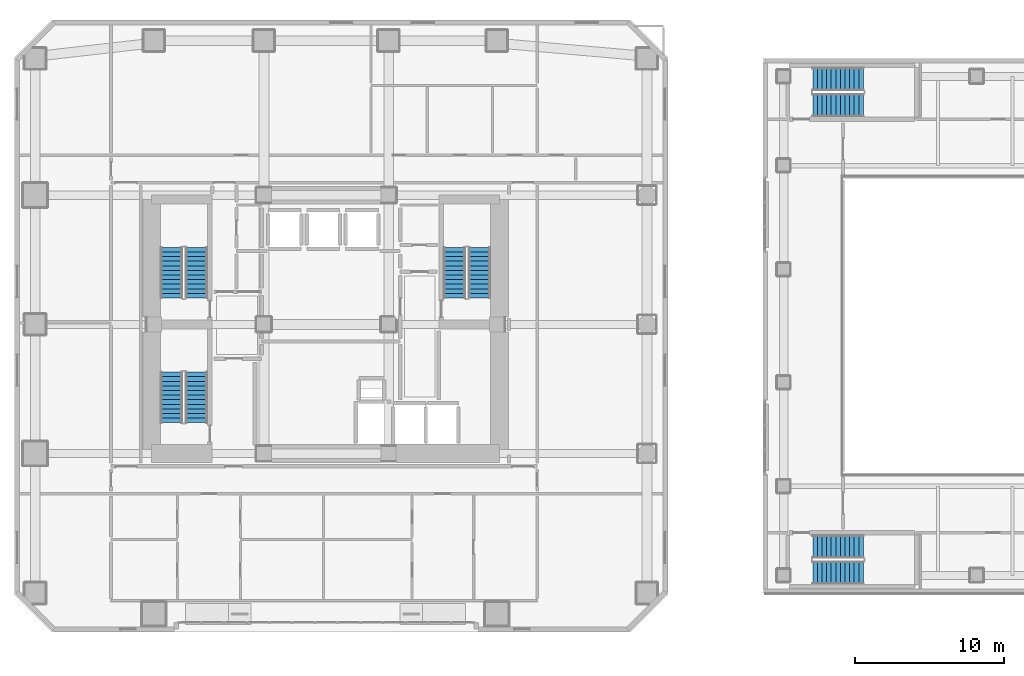
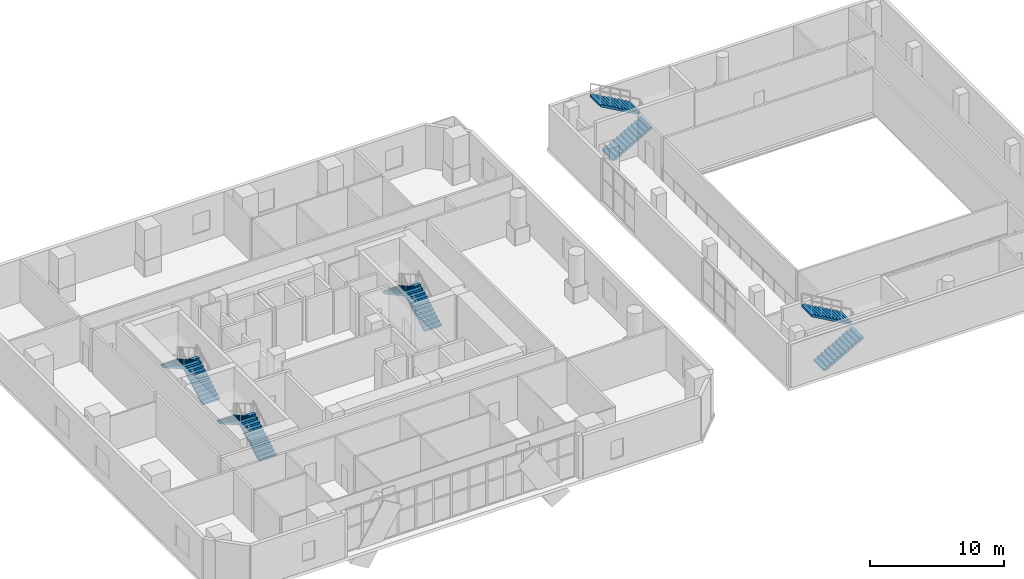
# One storey, part 17 of 20: 10 stair flights, 5 elements without a shape of their own.
"""IFC4 building model written with IfcOpenShell, lengths in metres."""

from ifc_helpers import new_model, si_unit, direction, frame, origin, place, context, subcontext, project, spatial, polyline, outline, extrude, material, type_object, element, aggregate, save


model = new_model("IFC4")

# Units and contexts
model_context = context("Model", 3, precision=1e-05, world=origin(), true_north=direction((0.0, 1.0)))
body_context = subcontext(model_context, "Body", "Model", "MODEL_VIEW")
ifc_project = project(units=[si_unit("LENGTHUNIT", "METRE"), si_unit("AREAUNIT", "SQUARE_METRE"), si_unit("VOLUMEUNIT", "CUBIC_METRE"), si_unit("PLANEANGLEUNIT", "RADIAN"), si_unit("MASSUNIT", "GRAM", prefix="KILO")], contexts=[model_context])

# Site, building, storey
site_placement = place(None, origin())
site = spatial("IfcSite", under=ifc_project, at=site_placement, CompositionType="ELEMENT")
building_placement = place(site_placement, origin())
building = spatial("IfcBuilding", under=site, at=building_placement, Name="Solanera Arch Residences", CompositionType="ELEMENT")
storey_placement = place(building_placement, frame((0.0, 0.0, 9.39990234375)))
storey = spatial("IfcBuildingStorey", under=building, at=storey_placement, Name="L02", CompositionType="ELEMENT", Elevation=9.39990234375)

# Stair, stair flights
ifc_material_1 = material(Name="Concrete C40/50 (f'c = 45 MPa)", Category="concrete")
stair_type_1 = type_object("IfcStairType", Name="Arena Dogleg Exit Stair 1560", PredefinedType="HALF_TURN_STAIR", material=ifc_material_1)
stair_1_placement = place(storey_placement, origin())
stair_1 = element("IfcStair", 1, at=stair_1_placement, inside=storey, type_object=stair_type_1, Name="L02 Sports Hall South Exit Stair", PredefinedType="HALF_TURN_STAIR")
ifc_material_2 = material(Name="Concrete C40/50 (f'c = 45 MPa)", Category="concrete")
stair_flight_type_1 = type_object("IfcStairFlightType", Name="Arena Precast Stair Flight 1560", PredefinedType="STRAIGHT", material=ifc_material_2)
stair_flight_1_placement = place(storey_placement, frame((57.760009765625, 13.97998046875, 0.0), z_axis=(0.0, 0.0, 1.0), x_axis=(1.0, 0.0, 0.0)))
stair_flight_1 = element("IfcStairFlight", 2, at=stair_flight_1_placement, type_object=stair_flight_type_1, Name="ST-H1 flight 1", NumberOfRisers=12, NumberOfTreads=11, PredefinedType="STRAIGHT", RiserHeight=0.175, TreadLength=0.31, context=body_context, shape_type="SweptSolid", body=[
    extrude(outline(polyline([(0.0, 0.0), (0.0, 0.175048828125), (0.31005859375, 0.175048828125), (0.31005859375, 0.35009765625), (0.6201171875, 0.35009765625), (0.6201171875, 0.52490234375), (0.929931640625, 0.52490234375), (0.929931640625, 0.699951171875), (1.239990234375, 0.699951171875), (1.239990234375, 0.875), (1.550048828125, 0.875), (1.550048828125, 1.050048828125), (1.860107421875, 1.050048828125), (1.860107421875, 1.22509765625), (2.169921875, 1.22509765625), (2.169921875, 1.39990234375), (2.47998046875, 1.39990234375), (2.47998046875, 1.574951171875), (2.7900390625, 1.574951171875), (2.7900390625, 1.75), (3.10009765625, 1.75), (3.10009765625, 1.925048828125), (3.409912109375, 1.925048828125), (3.409912109375, 2.10009765625), (3.409912109375, 1.7529296875), (0.304931640625, 0.0), (0.0, 0.0)])), frame((0.0, 0.780029296875, 0.0), z_axis=(0.0, -1.0, 0.0), x_axis=(1.0, 0.0, 0.0)), (0.0, 0.0, 1.0), 1.56005859375),
])
stair_flight_2_placement = place(storey_placement, frame((61.169921875, 15.739990234375, 2.10009765625), z_axis=(0.0, 0.0, 1.0), x_axis=(-1.0, 0.0, 0.0)))
stair_flight_2 = element("IfcStairFlight", 3, at=stair_flight_2_placement, type_object=stair_flight_type_1, Name="ST-H1 flight 2", NumberOfRisers=12, NumberOfTreads=11, PredefinedType="STRAIGHT", RiserHeight=0.175, TreadLength=0.31, context=body_context, shape_type="SweptSolid", body=[
    extrude(outline(polyline([(0.0, 0.0), (0.0, 0.175048828125), (0.31005859375, 0.175048828125), (0.31005859375, 0.35009765625), (0.6201171875, 0.35009765625), (0.6201171875, 0.52490234375), (0.929931640625, 0.52490234375), (0.929931640625, 0.699951171875), (1.239990234375, 0.699951171875), (1.239990234375, 0.875), (1.550048828125, 0.875), (1.550048828125, 1.050048828125), (1.860107421875, 1.050048828125), (1.860107421875, 1.22509765625), (2.169921875, 1.22509765625), (2.169921875, 1.39990234375), (2.47998046875, 1.39990234375), (2.47998046875, 1.574951171875), (2.7900390625, 1.574951171875), (2.7900390625, 1.75), (3.10009765625, 1.75), (3.10009765625, 1.925048828125), (3.409912109375, 1.925048828125), (3.409912109375, 2.10009765625), (3.409912109375, 1.7529296875), (0.304931640625, 0.0), (0.0, 0.0)])), frame((0.0, 0.780029296875, 0.0), z_axis=(0.0, -1.0, 0.0), x_axis=(1.0, 0.0, 0.0)), (0.0, 0.0, 1.0), 1.56005859375),
])
aggregate(stair_1, [stair_flight_1, stair_flight_2])

stair_2_placement = place(storey_placement, origin())
stair_2 = element("IfcStair", 4, at=stair_2_placement, inside=storey, type_object=stair_type_1, Name="L02 Sports Hall North Exit Stair", PredefinedType="HALF_TURN_STAIR")
stair_flight_3_placement = place(storey_placement, frame((57.760009765625, 45.4599609375, 0.0), z_axis=(0.0, 0.0, 1.0), x_axis=(1.0, 0.0, 0.0)))
stair_flight_3 = element("IfcStairFlight", 5, at=stair_flight_3_placement, type_object=stair_flight_type_1, Name="ST-H2 flight 1", NumberOfRisers=12, NumberOfTreads=11, PredefinedType="STRAIGHT", RiserHeight=0.175, TreadLength=0.31, context=body_context, shape_type="SweptSolid", body=[
    extrude(outline(polyline([(0.0, 0.0), (0.0, 0.175048828125), (0.31005859375, 0.175048828125), (0.31005859375, 0.35009765625), (0.6201171875, 0.35009765625), (0.6201171875, 0.52490234375), (0.929931640625, 0.52490234375), (0.929931640625, 0.699951171875), (1.239990234375, 0.699951171875), (1.239990234375, 0.875), (1.550048828125, 0.875), (1.550048828125, 1.050048828125), (1.860107421875, 1.050048828125), (1.860107421875, 1.22509765625), (2.169921875, 1.22509765625), (2.169921875, 1.39990234375), (2.47998046875, 1.39990234375), (2.47998046875, 1.574951171875), (2.7900390625, 1.574951171875), (2.7900390625, 1.75), (3.10009765625, 1.75), (3.10009765625, 1.925048828125), (3.409912109375, 1.925048828125), (3.409912109375, 2.10009765625), (3.409912109375, 1.7529296875), (0.304931640625, 0.0), (0.0, 0.0)])), frame((0.0, 0.780029296875, 0.0), z_axis=(0.0, -1.0, 0.0), x_axis=(1.0, 0.0, 0.0)), (0.0, 0.0, 1.0), 1.56005859375),
])
stair_flight_4_placement = place(storey_placement, frame((61.169921875, 47.219970703125, 2.10009765625), z_axis=(0.0, 0.0, 1.0), x_axis=(-1.0, 0.0, 0.0)))
stair_flight_4 = element("IfcStairFlight", 6, at=stair_flight_4_placement, type_object=stair_flight_type_1, Name="ST-H2 flight 2", NumberOfRisers=12, NumberOfTreads=11, PredefinedType="STRAIGHT", RiserHeight=0.175, TreadLength=0.31, context=body_context, shape_type="SweptSolid", body=[
    extrude(outline(polyline([(0.0, 0.0), (0.0, 0.175048828125), (0.31005859375, 0.175048828125), (0.31005859375, 0.35009765625), (0.6201171875, 0.35009765625), (0.6201171875, 0.52490234375), (0.929931640625, 0.52490234375), (0.929931640625, 0.699951171875), (1.239990234375, 0.699951171875), (1.239990234375, 0.875), (1.550048828125, 0.875), (1.550048828125, 1.050048828125), (1.860107421875, 1.050048828125), (1.860107421875, 1.22509765625), (2.169921875, 1.22509765625), (2.169921875, 1.39990234375), (2.47998046875, 1.39990234375), (2.47998046875, 1.574951171875), (2.7900390625, 1.574951171875), (2.7900390625, 1.75), (3.10009765625, 1.75), (3.10009765625, 1.925048828125), (3.409912109375, 1.925048828125), (3.409912109375, 2.10009765625), (3.409912109375, 1.7529296875), (0.304931640625, 0.0), (0.0, 0.0)])), frame((0.0, 0.780029296875, 0.0), z_axis=(0.0, -1.0, 0.0), x_axis=(1.0, 0.0, 0.0)), (0.0, 0.0, 1.0), 1.56005859375),
])
aggregate(stair_2, [stair_flight_3, stair_flight_4])

ifc_material_3 = material(Name="Concrete C40/50 (f'c = 45 MPa)", Category="concrete")
stair_type_2 = type_object("IfcStairType", Name="Tower Dogleg Exit Stair 1480", PredefinedType="HALF_TURN_STAIR", material=ifc_material_3)
stair_3_placement = place(storey_placement, origin())
stair_3 = element("IfcStair", 7, at=stair_3_placement, inside=storey, type_object=stair_type_2, Name="L02 Tower Core Exit Stair 1", PredefinedType="HALF_TURN_STAIR")
ifc_material_4 = material(Name="Concrete C40/50 (f'c = 45 MPa)", Category="concrete")
stair_flight_type_2 = type_object("IfcStairFlightType", Name="Tower Precast Stair Flight 1480", PredefinedType="STRAIGHT", material=ifc_material_4)
stair_flight_5_placement = place(storey_placement, frame((16.260009765625, 32.47998046875, 0.0), z_axis=(0.0, 0.0, 1.0), x_axis=(0.0, 1.0, 0.0)))
stair_flight_5 = element("IfcStairFlight", 8, at=stair_flight_5_placement, type_object=stair_flight_type_2, Name="ST-T1 flight 1", NumberOfRisers=12, NumberOfTreads=11, PredefinedType="STRAIGHT", RiserHeight=0.175, TreadLength=0.31, context=body_context, shape_type="SweptSolid", body=[
    extrude(outline(polyline([(0.0, 0.0), (0.0, 0.175048828125), (0.31005859375, 0.175048828125), (0.31005859375, 0.35009765625), (0.6201171875, 0.35009765625), (0.6201171875, 0.52490234375), (0.929931640625, 0.52490234375), (0.929931640625, 0.699951171875), (1.239990234375, 0.699951171875), (1.239990234375, 0.875), (1.550048828125, 0.875), (1.550048828125, 1.050048828125), (1.860107421875, 1.050048828125), (1.860107421875, 1.22509765625), (2.169921875, 1.22509765625), (2.169921875, 1.39990234375), (2.47998046875, 1.39990234375), (2.47998046875, 1.574951171875), (2.7900390625, 1.574951171875), (2.7900390625, 1.75), (3.10009765625, 1.75), (3.10009765625, 1.925048828125), (3.409912109375, 1.925048828125), (3.409912109375, 2.10009765625), (3.409912109375, 1.7529296875), (0.304931640625, 0.0), (0.0, 0.0)])), frame((0.0, 0.739990234375, 0.0), z_axis=(0.0, -1.0, 0.0), x_axis=(1.0, 0.0, 0.0)), (0.0, 0.0, 1.0), 1.47998046875),
])
stair_flight_6_placement = place(storey_placement, frame((14.580078125, 35.889892578125, 2.10009765625), z_axis=(0.0, 0.0, 1.0), x_axis=(0.0, -1.0, 0.0)))
stair_flight_6 = element("IfcStairFlight", 9, at=stair_flight_6_placement, type_object=stair_flight_type_2, Name="ST-T1 flight 2", NumberOfRisers=12, NumberOfTreads=11, PredefinedType="STRAIGHT", RiserHeight=0.175, TreadLength=0.31, context=body_context, shape_type="SweptSolid", body=[
    extrude(outline(polyline([(0.0, 0.0), (0.0, 0.175048828125), (0.31005859375, 0.175048828125), (0.31005859375, 0.35009765625), (0.6201171875, 0.35009765625), (0.6201171875, 0.52490234375), (0.929931640625, 0.52490234375), (0.929931640625, 0.699951171875), (1.239990234375, 0.699951171875), (1.239990234375, 0.875), (1.550048828125, 0.875), (1.550048828125, 1.050048828125), (1.860107421875, 1.050048828125), (1.860107421875, 1.22509765625), (2.169921875, 1.22509765625), (2.169921875, 1.39990234375), (2.47998046875, 1.39990234375), (2.47998046875, 1.574951171875), (2.7900390625, 1.574951171875), (2.7900390625, 1.75), (3.10009765625, 1.75), (3.10009765625, 1.925048828125), (3.409912109375, 1.925048828125), (3.409912109375, 2.10009765625), (3.409912109375, 1.7529296875), (0.304931640625, 0.0), (0.0, 0.0)])), frame((0.0, 0.739990234375, 0.0), z_axis=(0.0, -1.0, 0.0), x_axis=(1.0, 0.0, 0.0)), (0.0, 0.0, 1.0), 1.47998046875),
])
aggregate(stair_3, [stair_flight_5, stair_flight_6])

stair_4_placement = place(storey_placement, origin())
stair_4 = element("IfcStair", 10, at=stair_4_placement, inside=storey, type_object=stair_type_2, Name="L02 Tower Core Exit Stair 2", PredefinedType="HALF_TURN_STAIR")
stair_flight_7_placement = place(storey_placement, frame((35.320068359375, 32.47998046875, 0.0), z_axis=(0.0, 0.0, 1.0), x_axis=(0.0, 1.0, 0.0)))
stair_flight_7 = element("IfcStairFlight", 11, at=stair_flight_7_placement, type_object=stair_flight_type_2, Name="ST-T2 flight 1", NumberOfRisers=12, NumberOfTreads=11, PredefinedType="STRAIGHT", RiserHeight=0.175, TreadLength=0.31, context=body_context, shape_type="SweptSolid", body=[
    extrude(outline(polyline([(0.0, 0.0), (0.0, 0.175048828125), (0.31005859375, 0.175048828125), (0.31005859375, 0.35009765625), (0.6201171875, 0.35009765625), (0.6201171875, 0.52490234375), (0.929931640625, 0.52490234375), (0.929931640625, 0.699951171875), (1.239990234375, 0.699951171875), (1.239990234375, 0.875), (1.550048828125, 0.875), (1.550048828125, 1.050048828125), (1.860107421875, 1.050048828125), (1.860107421875, 1.22509765625), (2.169921875, 1.22509765625), (2.169921875, 1.39990234375), (2.47998046875, 1.39990234375), (2.47998046875, 1.574951171875), (2.7900390625, 1.574951171875), (2.7900390625, 1.75), (3.10009765625, 1.75), (3.10009765625, 1.925048828125), (3.409912109375, 1.925048828125), (3.409912109375, 2.10009765625), (3.409912109375, 1.7529296875), (0.304931640625, 0.0), (0.0, 0.0)])), frame((0.0, 0.739990234375, 0.0), z_axis=(0.0, -1.0, 0.0), x_axis=(1.0, 0.0, 0.0)), (0.0, 0.0, 1.0), 1.47998046875),
])
stair_flight_8_placement = place(storey_placement, frame((33.639892578125, 35.889892578125, 2.10009765625), z_axis=(0.0, 0.0, 1.0), x_axis=(0.0, -1.0, 0.0)))
stair_flight_8 = element("IfcStairFlight", 12, at=stair_flight_8_placement, type_object=stair_flight_type_2, Name="ST-T2 flight 2", NumberOfRisers=12, NumberOfTreads=11, PredefinedType="STRAIGHT", RiserHeight=0.175, TreadLength=0.31, context=body_context, shape_type="SweptSolid", body=[
    extrude(outline(polyline([(0.0, 0.0), (0.0, 0.175048828125), (0.31005859375, 0.175048828125), (0.31005859375, 0.35009765625), (0.6201171875, 0.35009765625), (0.6201171875, 0.52490234375), (0.929931640625, 0.52490234375), (0.929931640625, 0.699951171875), (1.239990234375, 0.699951171875), (1.239990234375, 0.875), (1.550048828125, 0.875), (1.550048828125, 1.050048828125), (1.860107421875, 1.050048828125), (1.860107421875, 1.22509765625), (2.169921875, 1.22509765625), (2.169921875, 1.39990234375), (2.47998046875, 1.39990234375), (2.47998046875, 1.574951171875), (2.7900390625, 1.574951171875), (2.7900390625, 1.75), (3.10009765625, 1.75), (3.10009765625, 1.925048828125), (3.409912109375, 1.925048828125), (3.409912109375, 2.10009765625), (3.409912109375, 1.7529296875), (0.304931640625, 0.0), (0.0, 0.0)])), frame((0.0, 0.739990234375, 0.0), z_axis=(0.0, -1.0, 0.0), x_axis=(1.0, 0.0, 0.0)), (0.0, 0.0, 1.0), 1.47998046875),
])
aggregate(stair_4, [stair_flight_7, stair_flight_8])

stair_5_placement = place(storey_placement, origin())
stair_5 = element("IfcStair", 13, at=stair_5_placement, inside=storey, type_object=stair_type_2, Name="L02 Tower Core Exit Stair 3", PredefinedType="HALF_TURN_STAIR")
stair_flight_9_placement = place(storey_placement, frame((16.260009765625, 24.080078125, 0.0), z_axis=(0.0, 0.0, 1.0), x_axis=(0.0, 1.0, 0.0)))
stair_flight_9 = element("IfcStairFlight", 14, at=stair_flight_9_placement, type_object=stair_flight_type_2, Name="ST-T3 flight 1", NumberOfRisers=12, NumberOfTreads=11, PredefinedType="STRAIGHT", RiserHeight=0.175, TreadLength=0.31, context=body_context, shape_type="SweptSolid", body=[
    extrude(outline(polyline([(0.0, 0.0), (0.0, 0.175048828125), (0.31005859375, 0.175048828125), (0.31005859375, 0.35009765625), (0.6201171875, 0.35009765625), (0.6201171875, 0.52490234375), (0.929931640625, 0.52490234375), (0.929931640625, 0.699951171875), (1.239990234375, 0.699951171875), (1.239990234375, 0.875), (1.550048828125, 0.875), (1.550048828125, 1.050048828125), (1.860107421875, 1.050048828125), (1.860107421875, 1.22509765625), (2.169921875, 1.22509765625), (2.169921875, 1.39990234375), (2.47998046875, 1.39990234375), (2.47998046875, 1.574951171875), (2.7900390625, 1.574951171875), (2.7900390625, 1.75), (3.10009765625, 1.75), (3.10009765625, 1.925048828125), (3.409912109375, 1.925048828125), (3.409912109375, 2.10009765625), (3.409912109375, 1.7529296875), (0.304931640625, 0.0), (0.0, 0.0)])), frame((0.0, 0.739990234375, 0.0), z_axis=(0.0, -1.0, 0.0), x_axis=(1.0, 0.0, 0.0)), (0.0, 0.0, 1.0), 1.47998046875),
])
stair_flight_10_placement = place(storey_placement, frame((14.580078125, 27.489990234375, 2.10009765625), z_axis=(0.0, 0.0, 1.0), x_axis=(0.0, -1.0, 0.0)))
stair_flight_10 = element("IfcStairFlight", 15, at=stair_flight_10_placement, type_object=stair_flight_type_2, Name="ST-T3 flight 2", NumberOfRisers=12, NumberOfTreads=11, PredefinedType="STRAIGHT", RiserHeight=0.175, TreadLength=0.31, context=body_context, shape_type="SweptSolid", body=[
    extrude(outline(polyline([(0.0, 0.0), (0.0, 0.175048828125), (0.31005859375, 0.175048828125), (0.31005859375, 0.35009765625), (0.6201171875, 0.35009765625), (0.6201171875, 0.52490234375), (0.929931640625, 0.52490234375), (0.929931640625, 0.699951171875), (1.239990234375, 0.699951171875), (1.239990234375, 0.875), (1.550048828125, 0.875), (1.550048828125, 1.050048828125), (1.860107421875, 1.050048828125), (1.860107421875, 1.22509765625), (2.169921875, 1.22509765625), (2.169921875, 1.39990234375), (2.47998046875, 1.39990234375), (2.47998046875, 1.574951171875), (2.7900390625, 1.574951171875), (2.7900390625, 1.75), (3.10009765625, 1.75), (3.10009765625, 1.925048828125), (3.409912109375, 1.925048828125), (3.409912109375, 2.10009765625), (3.409912109375, 1.7529296875), (0.304931640625, 0.0), (0.0, 0.0)])), frame((0.0, 0.739990234375, 0.0), z_axis=(0.0, -1.0, 0.0), x_axis=(1.0, 0.0, 0.0)), (0.0, 0.0, 1.0), 1.47998046875),
])
aggregate(stair_5, [stair_flight_9, stair_flight_10])

save(model, "model.ifc")
